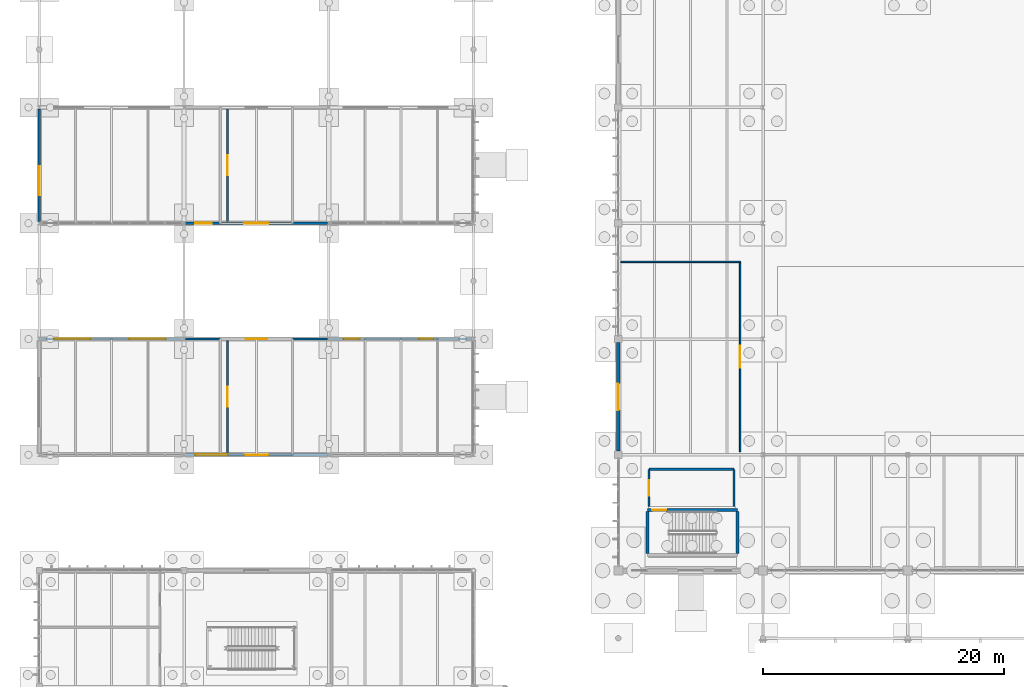
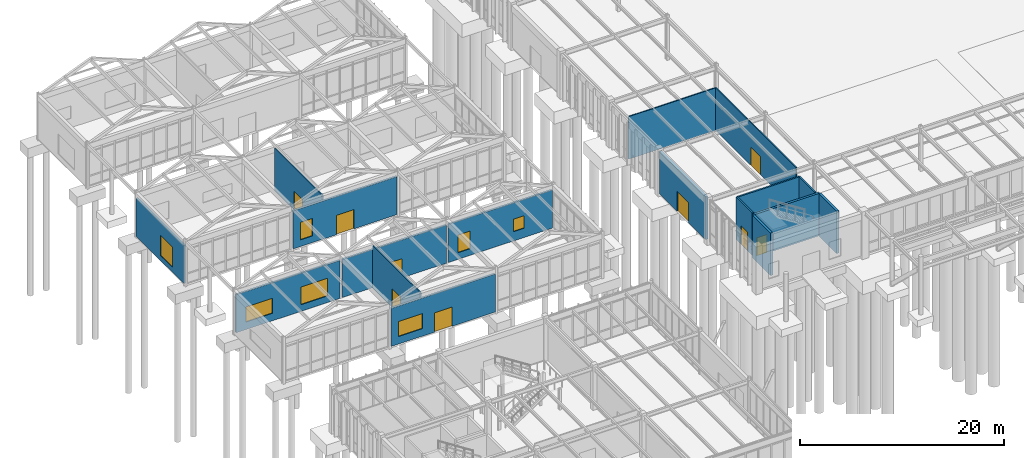
# One storey, part 162 of 188: 17 walls, 9 doors, 7 windows, 16 openings.
"""IFC4 building model written with IfcOpenShell, lengths in metres."""

from ifc_helpers import new_model, si_unit, direction, frame, frame_2d, origin, place, context, subcontext, project, spatial, rectangle, extrude, material, layer, layer_set, type_object, element, fill, save


model = new_model("IFC4")

# Units and contexts
model_context = context("Model", 3, precision=1e-05, world=origin(), true_north=direction((0.0, 1.0)))
body_context = subcontext(model_context, "Body", "Model", "MODEL_VIEW")
ifc_project = project(units=[si_unit("LENGTHUNIT", "METRE"), si_unit("AREAUNIT", "SQUARE_METRE"), si_unit("VOLUMEUNIT", "CUBIC_METRE"), si_unit("PLANEANGLEUNIT", "RADIAN"), si_unit("MASSUNIT", "GRAM", prefix="KILO")], contexts=[model_context])

# Site, building, storey
site_placement = place(None, origin())
site = spatial("IfcSite", under=ifc_project, at=site_placement, CompositionType="ELEMENT")
building_placement = place(site_placement, origin())
building = spatial("IfcBuilding", under=site, at=building_placement, Name="Pandanus Reach Market Hall", CompositionType="ELEMENT")
storey_placement = place(building_placement, origin())
storey = spatial("IfcBuildingStorey", under=building, at=storey_placement, Name="L00", CompositionType="ELEMENT", Elevation=0.0)

# Wall, opening, door
ifc_material_1 = material(Name="Concrete N40 (40 MPa)", Category="concrete")
ifc_layer_1 = layer(ifc_material_1, 0.25, Name="WL-CORE-250")
ifc_layer_set_1 = layer_set([ifc_layer_1], Name="Concrete N40 (40 MPa)")
wall_type_1 = type_object("IfcWallType", Name="WL-CORE-250", PredefinedType="SHEAR", material=ifc_layer_set_1)
wall_1_placement = place(storey_placement, frame((50.425048828125, 33.824951171875, 0.0), z_axis=(0.0, 0.0, 1.0), x_axis=(1.0, 0.0, 0.0)))
wall_1 = element("IfcWall", 1, at=wall_1_placement, inside=storey, type_object=wall_type_1, Name="Internal wall WL-CORE-250 WL-0421", PredefinedType="SHEAR", context=body_context, shape_type="SweptSolid", body=[
    extrude(rectangle(XDim=7.469970703125, YDim=0.25, at=frame_2d((3.73486328125, 0.0))), origin(), (0.0, 0.0, 1.0), 5.080078125),
])
opening_1_placement = place(wall_1_placement, frame((0.39990234375, 0.0, 0.0)))
opening_1 = element("IfcOpeningElement", 2, at=opening_1_placement, cuts=wall_1, Name="Opening DR-FD1", PredefinedType="OPENING", context=body_context, shape_type="SweptSolid", body=[
    extrude(rectangle(XDim=1.14990234375, YDim=2.14990234375, at=frame_2d((0.574951171875, 1.074951171875))), frame((0.0, 0.139892578125, 0.0), z_axis=(0.0, -1.0, 0.0), x_axis=(1.0, 0.0, 0.0)), (0.0, 0.0, 1.0), 0.280029296875),
])
ifc_material_2 = material(Name="Fire-rated steel door", Category="steel")
door_type_1 = type_object("IfcDoorType", Name="DR-FD1", OperationType="NOTDEFINED", PredefinedType="DOOR", material=ifc_material_2)
door_1_placement = place(opening_1_placement, origin())
door_1 = element("IfcDoor", 3, at=door_1_placement, inside=storey, type_object=door_type_1, Name="Fire stair door ST-07 L00", OperationType="SINGLE_SWING_LEFT", OverallHeight=2.14990234375, OverallWidth=1.14990234375, PredefinedType="DOOR", context=body_context, shape_type="SweptSolid", body=[
    extrude(rectangle(XDim=1.14990234375, YDim=2.14990234375, at=frame_2d((0.574951171875, 1.074951171875))), frame((0.0, 0.02490234375, 0.0), z_axis=(0.0, -1.0, 0.0), x_axis=(1.0, 0.0, 0.0)), (0.0, 0.0, 1.0), 0.050048828125),
])
fill(opening_1, door_1)

# Walls
for number, where, z_axis, x_axis, name in (
    (4, (50.425048828125, 30.199951171875, 0.0), (0.0, 0.0, 1.0), (0.0, 1.0, 0.0), "Internal wall WL-CORE-250 WL-0422"),
    (5, (57.89501953125, 30.199951171875, 0.0), (0.0, 0.0, 1.0), (0.0, 1.0, 0.0), "Internal wall WL-CORE-250 WL-0423"),
):
    element("IfcWall", number, at=place(storey_placement, frame(where, z_axis=z_axis, x_axis=x_axis)), inside=storey, type_object=wall_type_1, Name=name, PredefinedType="SHEAR", context=body_context, shape_type="SweptSolid", body=[
        extrude(rectangle(XDim=3.5, YDim=0.25, at=frame_2d((1.75, 0.0))), origin(), (0.0, 0.0, 1.0), 5.080078125),
    ])

# Wall, openings, windows
ifc_material_3 = material(Name="Precast concrete S50 (50 MPa)", Category="concrete")
ifc_layer_2 = layer(ifc_material_3, 0.205078125, Name="WL-EXT-205")
ifc_layer_set_2 = layer_set([ifc_layer_2], Name="Precast concrete S50 (50 MPa)")
wall_type_2 = type_object("IfcWallType", Name="WL-EXT-205", PredefinedType="SOLIDWALL", material=ifc_layer_set_2)
wall_2_placement = place(storey_placement, frame((0.126953125, 48.0, 0.0), z_axis=(0.0, 0.0, 1.0), x_axis=(1.0, 0.0, 0.0)))
wall_2 = element("IfcWall", 6, at=wall_2_placement, inside=storey, type_object=wall_type_2, Name="External wall WL-EXT-205 WL-0060", PredefinedType="SOLIDWALL", context=body_context, shape_type="SweptSolid", body=[
    extrude(rectangle(XDim=11.74609375, YDim=0.205078125, at=frame_2d((5.873046875, 0.0))), origin(), (0.0, 0.0, 1.0), 4.551025390625),
])
opening_2_placement = place(wall_2_placement, frame((1.10009765625, 0.0, 0.89990234375)))
opening_2 = element("IfcOpeningElement", 7, at=opening_2_placement, cuts=wall_2, Name="Opening WN-07", PredefinedType="OPENING", context=body_context, shape_type="SweptSolid", body=[
    extrude(rectangle(XDim=3.0, YDim=1.800048828125, at=frame_2d((1.5, 0.89990234375))), frame((0.0, 0.117431640625, 0.0), z_axis=(0.0, -1.0, 0.0), x_axis=(1.0, 0.0, 0.0)), (0.0, 0.0, 1.0), 0.235107421875),
])
opening_3_placement = place(wall_2_placement, frame((7.345947265625, 0.0, 0.800048828125)))
opening_3 = element("IfcOpeningElement", 8, at=opening_3_placement, cuts=wall_2, Name="Opening WN-13", PredefinedType="OPENING", context=body_context, shape_type="SweptSolid", body=[
    extrude(rectangle(XDim=3.0, YDim=2.10009765625, at=frame_2d((1.5, 1.050048828125))), frame((0.0, 0.117431640625, 0.0), z_axis=(0.0, -1.0, 0.0), x_axis=(1.0, 0.0, 0.0)), (0.0, 0.0, 1.0), 0.235107421875),
])
ifc_material_4 = material(Name="Solar-control double glazing", Category="glass")
window_type_1 = type_object("IfcWindowType", Name="WN-07", PartitioningType="SINGLE_PANEL", PredefinedType="WINDOW", material=ifc_material_4)
window_1_placement = place(opening_2_placement, origin())
window_1 = element("IfcWindow", 9, at=window_1_placement, inside=storey, type_object=window_type_1, Name="Window WN-07 21", OverallHeight=1.800048828125, OverallWidth=3.0, PartitioningType="SINGLE_PANEL", PredefinedType="WINDOW", context=body_context, shape_type="SweptSolid", body=[
    extrude(rectangle(XDim=3.0, YDim=1.800048828125, at=frame_2d((1.5, 0.89990234375))), frame((0.0, 0.030029296875, 0.0), z_axis=(0.0, -1.0, 0.0), x_axis=(1.0, 0.0, 0.0)), (0.0, 0.0, 1.0), 0.06005859375),
])
fill(opening_2, window_1)
window_type_2 = type_object("IfcWindowType", Name="WN-13", PartitioningType="SINGLE_PANEL", PredefinedType="WINDOW", material=ifc_material_4)
window_2_placement = place(opening_3_placement, origin())
window_2 = element("IfcWindow", 10, at=window_2_placement, inside=storey, type_object=window_type_2, Name="Window WN-13 22", OverallHeight=2.10009765625, OverallWidth=3.0, PartitioningType="SINGLE_PANEL", PredefinedType="WINDOW", context=body_context, shape_type="SweptSolid", body=[
    extrude(rectangle(XDim=3.0, YDim=2.10009765625, at=frame_2d((1.5, 1.050048828125))), frame((0.0, 0.030029296875, 0.0), z_axis=(0.0, -1.0, 0.0), x_axis=(1.0, 0.0, 0.0)), (0.0, 0.0, 1.0), 0.06005859375),
])
fill(opening_3, window_2)

# Wall, opening, door
wall_3_placement = place(storey_placement, frame((12.126953125, 48.0, 0.0), z_axis=(0.0, 0.0, 1.0), x_axis=(1.0, 0.0, 0.0)))
wall_3 = element("IfcWall", 11, at=wall_3_placement, inside=storey, type_object=wall_type_2, Name="External wall WL-EXT-205 WL-0062", PredefinedType="SOLIDWALL", context=body_context, shape_type="SweptSolid", body=[
    extrude(rectangle(XDim=11.74609375, YDim=0.205078125, at=frame_2d((5.873046875, 0.0))), origin(), (0.0, 0.0, 1.0), 4.551025390625),
])
opening_4_placement = place(wall_3_placement, frame((4.972900390625, 0.0, 0.0)))
opening_4 = element("IfcOpeningElement", 12, at=opening_4_placement, cuts=wall_3, Name="Opening ED-180", PredefinedType="OPENING", context=body_context, shape_type="SweptSolid", body=[
    extrude(rectangle(XDim=1.800048828125, YDim=2.300048828125, at=frame_2d((0.89990234375, 1.14990234375))), frame((0.0, 0.117431640625, 0.0), z_axis=(0.0, -1.0, 0.0), x_axis=(1.0, 0.0, 0.0)), (0.0, 0.0, 1.0), 0.235107421875),
])
ifc_material_5 = material(Name="Bronze anodised aluminium", Category="aluminium")
door_type_2 = type_object("IfcDoorType", Name="ED-180", OperationType="DOUBLE_DOOR_SINGLE_SWING", PredefinedType="DOOR", material=ifc_material_5)
door_2_placement = place(opening_4_placement, origin())
door_2 = element("IfcDoor", 13, at=door_2_placement, inside=storey, type_object=door_type_2, Name="Artisan breezeway exit ED-180 14", OperationType="DOUBLE_DOOR_SINGLE_SWING", OverallHeight=2.300048828125, OverallWidth=1.800048828125, PredefinedType="DOOR", context=body_context, shape_type="SweptSolid", body=[
    extrude(rectangle(XDim=1.800048828125, YDim=2.300048828125, at=frame_2d((0.89990234375, 1.14990234375))), frame((0.0, 0.02490234375, 0.0), z_axis=(0.0, -1.0, 0.0), x_axis=(1.0, 0.0, 0.0)), (0.0, 0.0, 1.0), 0.050048828125),
])
fill(opening_4, door_2)

# Wall, openings, windows
wall_4_placement = place(storey_placement, frame((24.126953125, 48.0, 0.0), z_axis=(0.0, 0.0, 1.0), x_axis=(1.0, 0.0, 0.0)))
wall_4 = element("IfcWall", 14, at=wall_4_placement, inside=storey, type_object=wall_type_2, Name="External wall WL-EXT-205 WL-0063", PredefinedType="SOLIDWALL", context=body_context, shape_type="SweptSolid", body=[
    extrude(rectangle(XDim=11.74609375, YDim=0.205078125, at=frame_2d((5.873046875, 0.0))), origin(), (0.0, 0.0, 1.0), 4.551025390625),
])
opening_5_placement = place(wall_4_placement, frame((1.10009765625, 0.0, 0.800048828125)))
opening_5 = element("IfcOpeningElement", 15, at=opening_5_placement, cuts=wall_4, Name="Opening WN-09", PredefinedType="OPENING", context=body_context, shape_type="SweptSolid", body=[
    extrude(rectangle(XDim=1.35009765625, YDim=2.10009765625, at=frame_2d((0.675048828125, 1.050048828125))), frame((0.0, 0.117431640625, 0.0), z_axis=(0.0, -1.0, 0.0), x_axis=(1.0, 0.0, 0.0)), (0.0, 0.0, 1.0), 0.235107421875),
])
opening_6_placement = place(wall_4_placement, frame((7.345947265625, 0.0, 1.10009765625)))
opening_6 = element("IfcOpeningElement", 16, at=opening_6_placement, cuts=wall_4, Name="Opening WN-15", PredefinedType="OPENING", context=body_context, shape_type="SweptSolid", body=[
    extrude(rectangle(XDim=1.199951171875, YDim=1.5, at=frame_2d((0.60009765625, 0.75))), frame((0.0, 0.117431640625, 0.0), z_axis=(0.0, -1.0, 0.0), x_axis=(1.0, 0.0, 0.0)), (0.0, 0.0, 1.0), 0.235107421875),
])
window_type_3 = type_object("IfcWindowType", Name="WN-09", PartitioningType="SINGLE_PANEL", PredefinedType="WINDOW", material=ifc_material_4)
window_3_placement = place(opening_5_placement, origin())
window_3 = element("IfcWindow", 17, at=window_3_placement, inside=storey, type_object=window_type_3, Name="Window WN-09 24", OverallHeight=2.10009765625, OverallWidth=1.35009765625, PartitioningType="SINGLE_PANEL", PredefinedType="WINDOW", context=body_context, shape_type="SweptSolid", body=[
    extrude(rectangle(XDim=1.35009765625, YDim=2.10009765625, at=frame_2d((0.675048828125, 1.050048828125))), frame((0.0, 0.030029296875, 0.0), z_axis=(0.0, -1.0, 0.0), x_axis=(1.0, 0.0, 0.0)), (0.0, 0.0, 1.0), 0.06005859375),
])
fill(opening_5, window_3)
window_type_4 = type_object("IfcWindowType", Name="WN-15", PartitioningType="SINGLE_PANEL", PredefinedType="WINDOW", material=ifc_material_4)
window_4_placement = place(opening_6_placement, origin())
window_4 = element("IfcWindow", 18, at=window_4_placement, inside=storey, type_object=window_type_4, Name="Window WN-15 25", OverallHeight=1.5, OverallWidth=1.199951171875, PartitioningType="SINGLE_PANEL", PredefinedType="WINDOW", context=body_context, shape_type="SweptSolid", body=[
    extrude(rectangle(XDim=1.199951171875, YDim=1.5, at=frame_2d((0.60009765625, 0.75))), frame((0.0, 0.030029296875, 0.0), z_axis=(0.0, -1.0, 0.0), x_axis=(1.0, 0.0, 0.0)), (0.0, 0.0, 1.0), 0.06005859375),
])
fill(opening_6, window_4)

# Wall, openings, door, window
ifc_layer_3 = layer(ifc_material_3, 0.219970703125, Name="WL-EXT-220")
ifc_layer_set_3 = layer_set([ifc_layer_3], Name="Precast concrete S50 (50 MPa)")
wall_type_3 = type_object("IfcWallType", Name="WL-EXT-220", PredefinedType="SOLIDWALL", material=ifc_layer_set_3)
wall_5_placement = place(storey_placement, frame((12.126953125, 38.39990234375, 0.0), z_axis=(0.0, 0.0, 1.0), x_axis=(1.0, 0.0, 0.0)))
wall_5 = element("IfcWall", 19, at=wall_5_placement, inside=storey, type_object=wall_type_3, Name="External wall WL-EXT-220 WL-0061", PredefinedType="SOLIDWALL", context=body_context, shape_type="SweptSolid", body=[
    extrude(rectangle(XDim=11.74609375, YDim=0.219970703125, at=frame_2d((5.873046875, 0.0))), origin(), (0.0, 0.0, 1.0), 4.551025390625),
])
opening_7_placement = place(wall_5_placement, frame((4.873046875, 0.0, 0.0)))
opening_7 = element("IfcOpeningElement", 20, at=opening_7_placement, cuts=wall_5, Name="Opening ED-200", PredefinedType="OPENING", context=body_context, shape_type="SweptSolid", body=[
    extrude(rectangle(XDim=2.0, YDim=2.300048828125, at=frame_2d((1.0, 1.14990234375))), frame((0.0, 0.125, 0.0), z_axis=(0.0, -1.0, 0.0), x_axis=(1.0, 0.0, 0.0)), (0.0, 0.0, 1.0), 0.25),
])
opening_8_placement = place(wall_5_placement, frame((0.800048828125, 0.0, 0.89990234375)))
opening_8 = element("IfcOpeningElement", 21, at=opening_8_placement, cuts=wall_5, Name="Opening WN-06", PredefinedType="OPENING", context=body_context, shape_type="SweptSolid", body=[
    extrude(rectangle(XDim=2.699951171875, YDim=1.800048828125, at=frame_2d((1.35009765625, 0.89990234375))), frame((0.0, 0.125, 0.0), z_axis=(0.0, -1.0, 0.0), x_axis=(1.0, 0.0, 0.0)), (0.0, 0.0, 1.0), 0.25),
])
door_type_3 = type_object("IfcDoorType", Name="ED-200", OperationType="DOUBLE_DOOR_SINGLE_SWING", PredefinedType="DOOR", material=ifc_material_5)
door_3_placement = place(opening_7_placement, frame((2.0, 0.0, 0.0), z_axis=(0.0, 0.0, 1.0), x_axis=(-1.0, 0.0, 0.0)))
door_3 = element("IfcDoor", 22, at=door_3_placement, inside=storey, type_object=door_type_3, Name="Artisan pavilion entrance ED-200 13", OperationType="DOUBLE_DOOR_SINGLE_SWING", OverallHeight=2.300048828125, OverallWidth=2.0, PredefinedType="DOOR", context=body_context, shape_type="SweptSolid", body=[
    extrude(rectangle(XDim=2.0, YDim=2.300048828125, at=frame_2d((1.0, 1.14990234375))), frame((0.0, 0.02490234375, 0.0), z_axis=(0.0, -1.0, 0.0), x_axis=(1.0, 0.0, 0.0)), (0.0, 0.0, 1.0), 0.050048828125),
])
fill(opening_7, door_3)
window_type_5 = type_object("IfcWindowType", Name="WN-06", PartitioningType="SINGLE_PANEL", PredefinedType="WINDOW", material=ifc_material_4)
window_5_placement = place(opening_8_placement, origin())
window_5 = element("IfcWindow", 23, at=window_5_placement, inside=storey, type_object=window_type_5, Name="Window WN-06 23", OverallHeight=1.800048828125, OverallWidth=2.699951171875, PartitioningType="SINGLE_PANEL", PredefinedType="WINDOW", context=body_context, shape_type="SweptSolid", body=[
    extrude(rectangle(XDim=2.699951171875, YDim=1.800048828125, at=frame_2d((1.35009765625, 0.89990234375))), frame((0.0, 0.030029296875, 0.0), z_axis=(0.0, -1.0, 0.0), x_axis=(1.0, 0.0, 0.0)), (0.0, 0.0, 1.0), 0.06005859375),
])
fill(opening_8, window_5)

wall_6_placement = place(storey_placement, frame((12.126953125, 57.60009765625, 0.0), z_axis=(0.0, 0.0, 1.0), x_axis=(1.0, 0.0, 0.0)))
wall_6 = element("IfcWall", 24, at=wall_6_placement, inside=storey, type_object=wall_type_3, Name="External wall WL-EXT-220 WL-0066", PredefinedType="SOLIDWALL", context=body_context, shape_type="SweptSolid", body=[
    extrude(rectangle(XDim=11.74609375, YDim=0.219970703125, at=frame_2d((5.873046875, 0.0))), origin(), (0.0, 0.0, 1.0), 4.551025390625),
])
opening_9_placement = place(wall_6_placement, frame((4.873046875, 0.0, 0.0)))
opening_9 = element("IfcOpeningElement", 25, at=opening_9_placement, cuts=wall_6, Name="Opening ED-200", PredefinedType="OPENING", context=body_context, shape_type="SweptSolid", body=[
    extrude(rectangle(XDim=2.0, YDim=2.300048828125, at=frame_2d((1.0, 1.14990234375))), frame((0.0, 0.125, 0.0), z_axis=(0.0, -1.0, 0.0), x_axis=(1.0, 0.0, 0.0)), (0.0, 0.0, 1.0), 0.25),
])
opening_10_placement = place(wall_6_placement, frame((0.800048828125, 0.0, 0.800048828125)))
opening_10 = element("IfcOpeningElement", 26, at=opening_10_placement, cuts=wall_6, Name="Opening WN-09", PredefinedType="OPENING", context=body_context, shape_type="SweptSolid", body=[
    extrude(rectangle(XDim=1.35009765625, YDim=2.10009765625, at=frame_2d((0.675048828125, 1.050048828125))), frame((0.0, 0.125, 0.0), z_axis=(0.0, -1.0, 0.0), x_axis=(1.0, 0.0, 0.0)), (0.0, 0.0, 1.0), 0.25),
])
door_4_placement = place(opening_9_placement, frame((2.0, 0.0, 0.0), z_axis=(0.0, 0.0, 1.0), x_axis=(-1.0, 0.0, 0.0)))
door_4 = element("IfcDoor", 27, at=door_4_placement, inside=storey, type_object=door_type_3, Name="Artisan pavilion entrance ED-200 15", OperationType="DOUBLE_DOOR_SINGLE_SWING", OverallHeight=2.300048828125, OverallWidth=2.0, PredefinedType="DOOR", context=body_context, shape_type="SweptSolid", body=[
    extrude(rectangle(XDim=2.0, YDim=2.300048828125, at=frame_2d((1.0, 1.14990234375))), frame((0.0, 0.02490234375, 0.0), z_axis=(0.0, -1.0, 0.0), x_axis=(1.0, 0.0, 0.0)), (0.0, 0.0, 1.0), 0.050048828125),
])
fill(opening_9, door_4)
window_6_placement = place(opening_10_placement, origin())
window_6 = element("IfcWindow", 28, at=window_6_placement, inside=storey, type_object=window_type_3, Name="Window WN-09 29", OverallHeight=2.10009765625, OverallWidth=1.35009765625, PartitioningType="SINGLE_PANEL", PredefinedType="WINDOW", context=body_context, shape_type="SweptSolid", body=[
    extrude(rectangle(XDim=1.35009765625, YDim=2.10009765625, at=frame_2d((0.675048828125, 1.050048828125))), frame((0.0, 0.030029296875, 0.0), z_axis=(0.0, -1.0, 0.0), x_axis=(1.0, 0.0, 0.0)), (0.0, 0.0, 1.0), 0.06005859375),
])
fill(opening_10, window_6)

# Wall, opening, window
wall_7_placement = place(storey_placement, frame((0.0, 57.72705078125, 0.0), z_axis=(0.0, 0.0, 1.0), x_axis=(0.0, 1.0, 0.0)))
wall_7 = element("IfcWall", 29, at=wall_7_placement, inside=storey, type_object=wall_type_3, Name="External wall WL-EXT-220 WL-0069", PredefinedType="SOLIDWALL", context=body_context, shape_type="SweptSolid", body=[
    extrude(rectangle(XDim=9.345947265625, YDim=0.219970703125, at=frame_2d((4.6728515625, 0.0))), origin(), (0.0, 0.0, 1.0), 4.551025390625),
])
opening_11_placement = place(wall_7_placement, frame((2.199951171875, 0.0, 0.60009765625)))
opening_11 = element("IfcOpeningElement", 30, at=opening_11_placement, cuts=wall_7, Name="Opening WN-26", PredefinedType="OPENING", context=body_context, shape_type="SweptSolid", body=[
    extrude(rectangle(XDim=2.39990234375, YDim=2.39990234375, at=frame_2d((1.199951171875, 1.199951171875))), frame((0.0, 0.125, 0.0), z_axis=(0.0, -1.0, 0.0), x_axis=(1.0, 0.0, 0.0)), (0.0, 0.0, 1.0), 0.25),
])
window_type_6 = type_object("IfcWindowType", Name="WN-26", PartitioningType="SINGLE_PANEL", PredefinedType="WINDOW", material=ifc_material_4)
window_7_placement = place(opening_11_placement, origin())
window_7 = element("IfcWindow", 31, at=window_7_placement, inside=storey, type_object=window_type_6, Name="Window WN-26 32", OverallHeight=2.39990234375, OverallWidth=2.39990234375, PartitioningType="SINGLE_PANEL", PredefinedType="WINDOW", context=body_context, shape_type="SweptSolid", body=[
    extrude(rectangle(XDim=2.39990234375, YDim=2.39990234375, at=frame_2d((1.199951171875, 1.199951171875))), frame((0.0, 0.030029296875, 0.0), z_axis=(0.0, -1.0, 0.0), x_axis=(1.0, 0.0, 0.0)), (0.0, 0.0, 1.0), 0.06005859375),
])
fill(opening_11, window_7)

# Wall, opening, door
ifc_layer_4 = layer(ifc_material_3, 0.260009765625, Name="WL-EXT-260")
ifc_layer_set_4 = layer_set([ifc_layer_4], Name="Precast concrete S50 (50 MPa)")
wall_type_4 = type_object("IfcWallType", Name="WL-EXT-260", PredefinedType="SOLIDWALL", material=ifc_layer_set_4)
wall_8_placement = place(storey_placement, frame((48.0, 38.699951171875, 0.0), z_axis=(0.0, 0.0, 1.0), x_axis=(0.0, 1.0, 0.0)))
wall_8 = element("IfcWall", 32, at=wall_8_placement, inside=storey, type_object=wall_type_4, Name="External wall WL-EXT-260 WL-0056", PredefinedType="SOLIDWALL", context=body_context, shape_type="SweptSolid", body=[
    extrude(rectangle(XDim=9.0, YDim=0.260009765625, at=frame_2d((4.5, 0.0))), origin(), (0.0, 0.0, 1.0), 5.10009765625),
])
opening_12_placement = place(wall_8_placement, frame((3.39990234375, 0.0, 0.0)))
opening_12 = element("IfcOpeningElement", 33, at=opening_12_placement, cuts=wall_8, Name="Opening ED-220", PredefinedType="OPENING", context=body_context, shape_type="SweptSolid", body=[
    extrude(rectangle(XDim=2.199951171875, YDim=2.39990234375, at=frame_2d((1.10009765625, 1.199951171875))), frame((0.0, 0.14501953125, 0.0), z_axis=(0.0, -1.0, 0.0), x_axis=(1.0, 0.0, 0.0)), (0.0, 0.0, 1.0), 0.2900390625),
])
door_type_4 = type_object("IfcDoorType", Name="ED-220", OperationType="DOUBLE_DOOR_SINGLE_SWING", PredefinedType="DOOR", material=ifc_material_5)
door_5_placement = place(opening_12_placement, origin())
door_5 = element("IfcDoor", 34, at=door_5_placement, inside=storey, type_object=door_type_4, Name="Market gable entrance ED-220 9", OperationType="DOUBLE_DOOR_SINGLE_SWING", OverallHeight=2.39990234375, OverallWidth=2.199951171875, PredefinedType="DOOR", context=body_context, shape_type="SweptSolid", body=[
    extrude(rectangle(XDim=2.199951171875, YDim=2.39990234375, at=frame_2d((1.10009765625, 1.199951171875))), frame((0.0, 0.02490234375, 0.0), z_axis=(0.0, -1.0, 0.0), x_axis=(1.0, 0.0, 0.0)), (0.0, 0.0, 1.0), 0.050048828125),
])
fill(opening_12, door_5)

ifc_layer_5 = layer(ifc_material_1, 0.175048828125, Name="WL-LOB-175")
ifc_layer_set_5 = layer_set([ifc_layer_5], Name="Concrete N40 (40 MPa)")
wall_type_5 = type_object("IfcWallType", Name="WL-LOB-175", PredefinedType="PARTITIONING", material=ifc_layer_set_5)
wall_9_placement = place(storey_placement, frame((50.550048828125, 34.10009765625, 0.0), z_axis=(0.0, 0.0, 1.0), x_axis=(0.0, 1.0, 0.0)))
wall_9 = element("IfcWall", 35, at=wall_9_placement, inside=storey, type_object=wall_type_5, Name="Internal wall WL-LOB-175 WL-0424", PredefinedType="PARTITIONING", context=body_context, shape_type="SweptSolid", body=[
    extrude(rectangle(XDim=3.099853515625, YDim=0.175048828125, at=frame_2d((1.5498046875, 0.0))), origin(), (0.0, 0.0, 1.0), 5.080078125),
])
opening_13_placement = place(wall_9_placement, frame((0.925048828125, 0.0, 0.0)))
opening_13 = element("IfcOpeningElement", 36, at=opening_13_placement, cuts=wall_9, Name="Opening DR-FD2", PredefinedType="OPENING", context=body_context, shape_type="SweptSolid", body=[
    extrude(rectangle(XDim=1.25, YDim=2.199951171875, at=frame_2d((0.625, 1.10009765625))), frame((0.0, 0.1025390625, 0.0), z_axis=(0.0, -1.0, 0.0), x_axis=(1.0, 0.0, 0.0)), (0.0, 0.0, 1.0), 0.205078125),
])
door_type_5 = type_object("IfcDoorType", Name="DR-FD2", OperationType="NOTDEFINED", PredefinedType="DOOR", material=ifc_material_2)
door_6_placement = place(opening_13_placement, frame((1.25, 0.0, 0.0), z_axis=(0.0, 0.0, 1.0), x_axis=(-1.0, 0.0, 0.0)))
door_6 = element("IfcDoor", 37, at=door_6_placement, inside=storey, type_object=door_type_5, Name="Core C7 lobby fire door DR-FD2 84", OperationType="SINGLE_SWING_LEFT", OverallHeight=2.199951171875, OverallWidth=1.25, PredefinedType="DOOR", context=body_context, shape_type="SweptSolid", body=[
    extrude(rectangle(XDim=1.25, YDim=2.199951171875, at=frame_2d((0.625, 1.10009765625))), frame((0.0, 0.02490234375, 0.0), z_axis=(0.0, -1.0, 0.0), x_axis=(1.0, 0.0, 0.0)), (0.0, 0.0, 1.0), 0.050048828125),
])
fill(opening_13, door_6)

# Walls
wall_10_placement = place(storey_placement, frame((50.550048828125, 37.199951171875, 0.0), z_axis=(0.0, 0.0, 1.0), x_axis=(1.0, 0.0, 0.0)))
element("IfcWall", 38, at=wall_10_placement, inside=storey, type_object=wall_type_5, Name="Internal wall WL-LOB-175 WL-0425", PredefinedType="PARTITIONING", context=body_context, shape_type="SweptSolid", body=[
    extrude(rectangle(XDim=7.050048828125, YDim=0.175048828125, at=frame_2d((3.52490234375, 0.0))), origin(), (0.0, 0.0, 1.0), 5.080078125),
])
wall_11_placement = place(storey_placement, frame((57.60009765625, 34.10009765625, 0.0), z_axis=(0.0, 0.0, 1.0), x_axis=(0.0, 1.0, 0.0)))
element("IfcWall", 39, at=wall_11_placement, inside=storey, type_object=wall_type_5, Name="Internal wall WL-LOB-175 WL-0426", PredefinedType="PARTITIONING", context=body_context, shape_type="SweptSolid", body=[
    extrude(rectangle(XDim=3.099853515625, YDim=0.175048828125, at=frame_2d((1.5498046875, 0.0))), origin(), (0.0, 0.0, 1.0), 5.080078125),
])

# Wall, opening, door
ifc_material_6 = material(Name="Lightweight plasterboard stud partition", Category="gypsum")
ifc_layer_6 = layer(ifc_material_6, 0.1201171875, Name="WL-PRT-120")
ifc_layer_set_6 = layer_set([ifc_layer_6], Name="Lightweight plasterboard stud partition")
wall_type_6 = type_object("IfcWallType", Name="WL-PRT-120", PredefinedType="PARTITIONING", material=ifc_layer_set_6)
wall_12_placement = place(storey_placement, frame((58.10009765625, 38.64990234375, 0.0), z_axis=(0.0, 0.0, 1.0), x_axis=(0.0, 1.0, 0.0)))
wall_12 = element("IfcWall", 40, at=wall_12_placement, inside=storey, type_object=wall_type_6, Name="Internal wall WL-PRT-120 WL-0473", PredefinedType="PARTITIONING", context=body_context, shape_type="SweptSolid", body=[
    extrude(rectangle(XDim=15.75, YDim=0.1201171875, at=frame_2d((7.875, 0.0))), origin(), (0.0, 0.0, 1.0), 5.080078125),
])
opening_14_placement = place(wall_12_placement, frame((6.949951171875, 0.0, 0.0)))
opening_14 = element("IfcOpeningElement", 41, at=opening_14_placement, cuts=wall_12, Name="Opening DR-I18", PredefinedType="OPENING", context=body_context, shape_type="SweptSolid", body=[
    extrude(rectangle(XDim=1.85009765625, YDim=2.199951171875, at=frame_2d((0.925048828125, 1.10009765625))), frame((0.0, 0.074951171875, 0.0), z_axis=(0.0, -1.0, 0.0), x_axis=(1.0, 0.0, 0.0)), (0.0, 0.0, 1.0), 0.150146484375),
])
ifc_material_7 = material(Name="Double market gallery swing door")
door_type_6 = type_object("IfcDoorType", Name="DR-I18", OperationType="DOUBLE_DOOR_SINGLE_SWING", PredefinedType="DOOR", material=ifc_material_7)
door_7_placement = place(opening_14_placement, origin())
door_7 = element("IfcDoor", 42, at=door_7_placement, inside=storey, type_object=door_type_6, Name="Dairy stalls gallery door DR-I18 107", OperationType="DOUBLE_DOOR_SINGLE_SWING", OverallHeight=2.199951171875, OverallWidth=1.85009765625, PredefinedType="DOOR", context=body_context, shape_type="SweptSolid", body=[
    extrude(rectangle(XDim=1.85009765625, YDim=2.199951171875, at=frame_2d((0.925048828125, 1.10009765625))), frame((0.0, 0.02490234375, 0.0), z_axis=(0.0, -1.0, 0.0), x_axis=(1.0, 0.0, 0.0)), (0.0, 0.0, 1.0), 0.050048828125),
])
fill(opening_14, door_7)

# Wall
wall_13_placement = place(storey_placement, frame((48.199951171875, 54.39990234375, 0.0), z_axis=(0.0, 0.0, 1.0), x_axis=(1.0, 0.0, 0.0)))
element("IfcWall", 43, at=wall_13_placement, inside=storey, type_object=wall_type_6, Name="Internal wall WL-PRT-120 WL-0474", PredefinedType="PARTITIONING", context=body_context, shape_type="SweptSolid", body=[
    extrude(rectangle(XDim=9.900146484375, YDim=0.1201171875, at=frame_2d((4.9501953125, 0.0))), origin(), (0.0, 0.0, 1.0), 5.080078125),
])

# Wall, opening, door
ifc_material_8 = material(Name="Moisture-resistant plasterboard partition", Category="gypsum")
ifc_layer_7 = layer(ifc_material_8, 0.135009765625, Name="WL-PRT-135")
ifc_layer_set_7 = layer_set([ifc_layer_7], Name="Moisture-resistant plasterboard partition")
wall_type_7 = type_object("IfcWallType", Name="WL-PRT-135", PredefinedType="PARTITIONING", material=ifc_layer_set_7)
wall_14_placement = place(storey_placement, frame((15.60009765625, 38.550048828125, 0.0), z_axis=(0.0, 0.0, 1.0), x_axis=(0.0, 1.0, 0.0)))
wall_14 = element("IfcWall", 44, at=wall_14_placement, inside=storey, type_object=wall_type_7, Name="Internal wall WL-PRT-135 WL-0477", PredefinedType="PARTITIONING", context=body_context, shape_type="SweptSolid", body=[
    extrude(rectangle(XDim=9.300048828125, YDim=0.135009765625, at=frame_2d((4.64990234375, 0.0))), origin(), (0.0, 0.0, 1.0), 5.080078125),
])
opening_15_placement = place(wall_14_placement, frame((3.824951171875, 0.0, 0.0)))
opening_15 = element("IfcOpeningElement", 45, at=opening_15_placement, cuts=wall_14, Name="Opening DR-I16", PredefinedType="OPENING", context=body_context, shape_type="SweptSolid", body=[
    extrude(rectangle(XDim=1.64990234375, YDim=2.199951171875, at=frame_2d((0.824951171875, 1.10009765625))), frame((0.0, 0.08251953125, 0.0), z_axis=(0.0, -1.0, 0.0), x_axis=(1.0, 0.0, 0.0)), (0.0, 0.0, 1.0), 0.1650390625),
])
ifc_material_9 = material(Name="Double glazed culinary studio door")
door_type_7 = type_object("IfcDoorType", Name="DR-I16", OperationType="DOUBLE_DOOR_SINGLE_SWING", PredefinedType="DOOR", material=ifc_material_9)
door_8_placement = place(opening_15_placement, origin())
door_8 = element("IfcDoor", 46, at=door_8_placement, inside=storey, type_object=door_type_7, Name="Bakery-florist stall pass door DR-I16 109", OperationType="DOUBLE_DOOR_SINGLE_SWING", OverallHeight=2.199951171875, OverallWidth=1.64990234375, PredefinedType="DOOR", context=body_context, shape_type="SweptSolid", body=[
    extrude(rectangle(XDim=1.64990234375, YDim=2.199951171875, at=frame_2d((0.824951171875, 1.10009765625))), frame((0.0, 0.02490234375, 0.0), z_axis=(0.0, -1.0, 0.0), x_axis=(1.0, 0.0, 0.0)), (0.0, 0.0, 1.0), 0.050048828125),
])
fill(opening_15, door_8)

wall_15_placement = place(storey_placement, frame((15.60009765625, 57.75, 0.0), z_axis=(0.0, 0.0, 1.0), x_axis=(0.0, 1.0, 0.0)))
wall_15 = element("IfcWall", 47, at=wall_15_placement, inside=storey, type_object=wall_type_7, Name="Internal wall WL-PRT-135 WL-0478", PredefinedType="PARTITIONING", context=body_context, shape_type="SweptSolid", body=[
    extrude(rectangle(XDim=9.300048828125, YDim=0.135009765625, at=frame_2d((4.64990234375, 0.0))), origin(), (0.0, 0.0, 1.0), 5.080078125),
])
opening_16_placement = place(wall_15_placement, frame((3.824951171875, 0.0, 0.0)))
opening_16 = element("IfcOpeningElement", 48, at=opening_16_placement, cuts=wall_15, Name="Opening DR-I16", PredefinedType="OPENING", context=body_context, shape_type="SweptSolid", body=[
    extrude(rectangle(XDim=1.64990234375, YDim=2.199951171875, at=frame_2d((0.824951171875, 1.10009765625))), frame((0.0, 0.08251953125, 0.0), z_axis=(0.0, -1.0, 0.0), x_axis=(1.0, 0.0, 0.0)), (0.0, 0.0, 1.0), 0.1650390625),
])
door_9_placement = place(opening_16_placement, origin())
door_9 = element("IfcDoor", 49, at=door_9_placement, inside=storey, type_object=door_type_7, Name="Charcuterie-deli stall pass door DR-I16 110", OperationType="DOUBLE_DOOR_SINGLE_SWING", OverallHeight=2.199951171875, OverallWidth=1.64990234375, PredefinedType="DOOR", context=body_context, shape_type="SweptSolid", body=[
    extrude(rectangle(XDim=1.64990234375, YDim=2.199951171875, at=frame_2d((0.824951171875, 1.10009765625))), frame((0.0, 0.02490234375, 0.0), z_axis=(0.0, -1.0, 0.0), x_axis=(1.0, 0.0, 0.0)), (0.0, 0.0, 1.0), 0.050048828125),
])
fill(opening_16, door_9)

save(model, "model.ifc")
